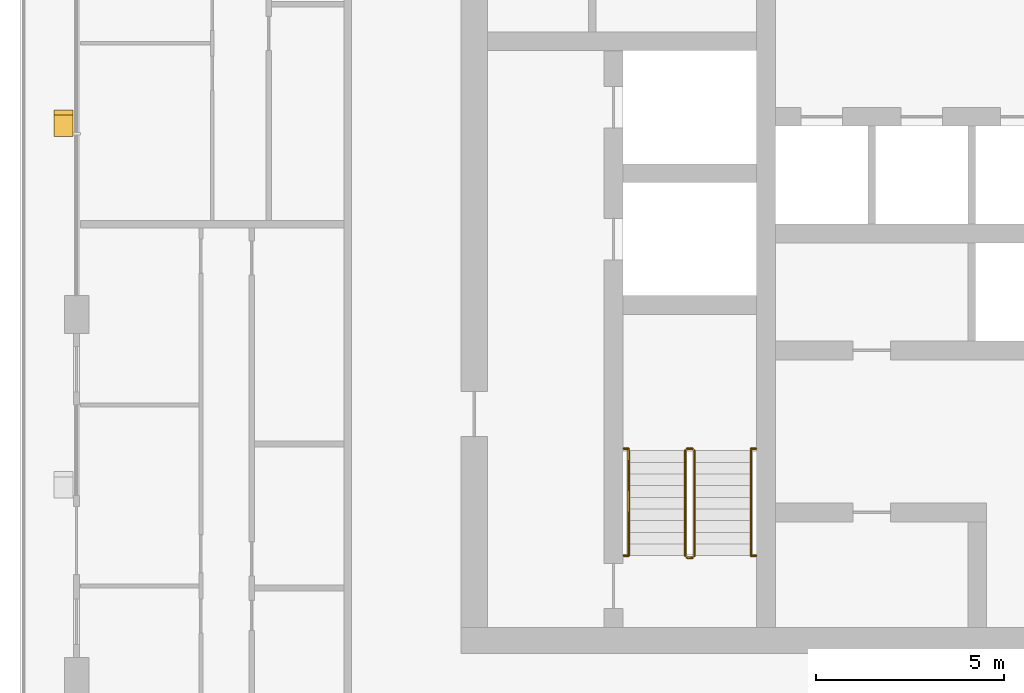
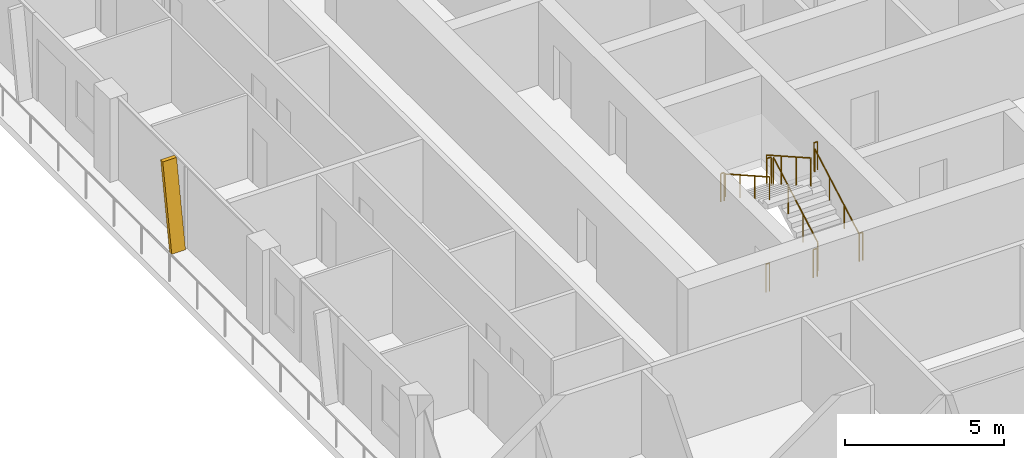
# One storey, part 17 of 21: 10 railings, 1 shading device.
"""IFC4 building model written with IfcOpenShell, lengths in metres."""

import ifcopenshell
import ifcopenshell.guid

model = None  # the IFC model being written
_history = None  # IfcOwnerHistory: only IFC2X3 demands one
_inside = {}  # id of a spatial element -> (the spatial element, [elements in it])
_under = {}  # id of a project, library or spatial element -> (it, [spatial elements below it])
_declared = {}  # id of a project -> (the project, [libraries it declares])
_typed = {}  # id of a type object -> (the type object, [elements of that type])
_made_of = {}  # id of a material, layer set ... -> (it, [elements and type objects made of it])


def new_model(schema):
    """Start an empty IFC model of exactly this schema.

    Asked for "IFC4X3", IfcOpenShell would pick the latest addendum, in which some entities
    have other attributes; the version numbers below select the first issue.
    IFC2X3 requires an IfcOwnerHistory on every rooted entity: one is made here for all.
    """
    global model, _history
    if schema == "IFC4X3":
        model = ifcopenshell.file(schema_version=(4, 3, 0, 0))
    else:
        model = ifcopenshell.file(schema=schema)
    _inside.clear()
    _under.clear()
    _declared.clear()
    _typed.clear()
    _made_of.clear()
    _history = None
    if model.schema == "IFC2X3":
        org = make("IfcOrganization", Name="unknown")
        user = make(
            "IfcPersonAndOrganization",
            ThePerson=make("IfcPerson", FamilyName="unknown"),
            TheOrganization=org,
        )
        app = make(
            "IfcApplication",
            ApplicationDeveloper=org,
            Version="unknown",
            ApplicationFullName="unknown",
            ApplicationIdentifier="unknown",
        )
        _history = make(
            "IfcOwnerHistory",
            OwningUser=user,
            OwningApplication=app,
            ChangeAction="ADDED",
            CreationDate=0,
        )
    return model


def make(cls, **values):
    """One entity of the class cls with the attributes given. An attribute that is None is left unset."""
    return model.create_entity(
        cls, **{name: value for name, value in values.items() if value is not None}
    )


def rooted(cls, **values):
    """An entity with a GlobalId (a new one), such as an element, a storey or a relation."""
    return make(cls, GlobalId=ifcopenshell.guid.new(), OwnerHistory=_history, **values)


def si_unit(unit_type, name, prefix=None):
    """IfcSIUnit, for example si_unit("LENGTHUNIT", "METRE", prefix="MILLI")."""
    return make("IfcSIUnit", UnitType=unit_type, Prefix=prefix, Name=name)


def assignment(units):
    """IfcUnitAssignment: the units of a project."""
    return None if units is None else make("IfcUnitAssignment", Units=units)


def point(xyz):
    """IfcCartesianPoint."""
    return None if xyz is None else make("IfcCartesianPoint", Coordinates=xyz)


def direction(xyz):
    """IfcDirection."""
    return None if xyz is None else make("IfcDirection", DirectionRatios=xyz)


def frame(location, z_axis=None, x_axis=None):
    """IfcAxis2Placement3D, a coordinate frame: its origin and axes. An axis left out is left unset."""
    return make(
        "IfcAxis2Placement3D",
        Location=point(location),
        Axis=direction(z_axis),
        RefDirection=direction(x_axis),
    )


def frame_2d(location, x_axis=None):
    """IfcAxis2Placement2D, a coordinate frame in the plane: its origin and x axis."""
    return make(
        "IfcAxis2Placement2D", Location=point(location), RefDirection=direction(x_axis)
    )


def origin():
    """The frame at (0, 0, 0) with its axes left unset."""
    return frame((0.0, 0.0, 0.0))


def origin_2d():
    """The frame at (0, 0) in the plane with its x axis left unset."""
    return frame_2d((0.0, 0.0))


def place(relative_to, where):
    """IfcLocalPlacement: puts the frame where relative to a parent placement (None: the world)."""
    return make(
        "IfcLocalPlacement", PlacementRelTo=relative_to, RelativePlacement=where
    )


def context(
    kind, dimensions, precision=None, world=None, true_north=None, identifier=None
):
    """IfcGeometricRepresentationContext, for example the 3D "Model" context."""
    return make(
        "IfcGeometricRepresentationContext",
        ContextIdentifier=identifier,
        ContextType=kind,
        CoordinateSpaceDimension=dimensions,
        Precision=precision,
        WorldCoordinateSystem=world,
        TrueNorth=true_north,
    )


def subcontext(parent, identifier, kind, view, scale=None):
    """IfcGeometricRepresentationSubContext, for example "Body" below "Model"."""
    return make(
        "IfcGeometricRepresentationSubContext",
        ContextIdentifier=identifier,
        ContextType=kind,
        ParentContext=parent,
        TargetScale=scale,
        TargetView=view,
    )


def project(units=None, contexts=None):
    """IfcProject with its units and contexts."""
    return rooted(
        "IfcProject",
        Name="project",
        RepresentationContexts=contexts,
        UnitsInContext=assignment(units),
    )


def spatial(cls, under=None, at=None, **own):
    """A site, building, storey or space (cls), placed at a placement, below another one or the project."""
    s = rooted(cls, ObjectPlacement=at, **own)
    if under is not None:
        _under.setdefault(under.id(), (under, []))[1].append(s)
    return s


def polyline(points):
    """IfcPolyline through the points."""
    return make("IfcPolyline", Points=[point(p) for p in points])


def profile(cls, at=None, kind="AREA", **sizes):
    """A parametric profile (cls). Its sizes go by their IFC names, for example OverallWidth=200.0."""
    return make(cls, ProfileType=kind, Position=at, **sizes)


def circle(**sizes):
    """IfcCircleProfileDef."""
    return profile("IfcCircleProfileDef", **sizes)


def outline(outer, holes=None, kind="AREA"):
    """IfcArbitraryClosedProfileDef: a profile drawn as a closed curve; with holes, ...WithVoids."""
    if holes is None:
        return make("IfcArbitraryClosedProfileDef", ProfileType=kind, OuterCurve=outer)
    return make(
        "IfcArbitraryProfileDefWithVoids",
        ProfileType=kind,
        OuterCurve=outer,
        InnerCurves=holes,
    )


def extrude(swept, where, along, depth):
    """IfcExtrudedAreaSolid: the profile swept, set in the frame where, extruded along a direction by depth."""
    return make(
        "IfcExtrudedAreaSolid",
        SweptArea=swept,
        Position=where,
        ExtrudedDirection=direction(along),
        Depth=depth,
    )


def shape(context_of_items, identifier, shape_type, items):
    """IfcShapeRepresentation: the items that make up one representation, for example the "Body"."""
    return make(
        "IfcShapeRepresentation",
        ContextOfItems=context_of_items,
        RepresentationIdentifier=identifier,
        RepresentationType=shape_type,
        Items=items,
    )


def material(Name=None, Category=None):
    """IfcMaterial."""
    return make("IfcMaterial", Name=Name, Category=Category)


def made_of(thing, what):
    """Note that an element or type object is made of a material, layer set ...; save() writes the relation."""
    if what is not None:
        _made_of.setdefault(what.id(), (what, []))[1].append(thing)
    return thing


def type_object(cls, material=None, **own):
    """A type object (cls), such as IfcWallType, which elements share."""
    return made_of(rooted(cls, **own), material)


def element(
    cls,
    number,
    at=None,
    inside=None,
    cuts=None,
    type_object=None,
    material=None,
    context=None,
    identifier="Body",
    shape_type=None,
    held_by="IfcProductDefinitionShape",
    body=None,
    shapes=None,
    **own,
):
    """One element of the class cls, such as IfcWall. Its Tag is "e" and its number.

    at: its placement. inside: the storey or other place that contains it. cuts: it is an
    opening in that element (IfcRelVoidsElement). A single representation is given by context,
    identifier, shape_type and body (its items); several are given by shapes. held_by: the class
    of the entity that holds the representations. save() writes the other relations.
    """
    e = rooted(cls, Tag="e%d" % number, ObjectPlacement=at, **own)
    if body is not None:
        shapes = [shape(context, identifier, shape_type, body)]
    if shapes is not None:
        e.Representation = make(held_by, Representations=shapes)
    if inside is not None:
        _inside.setdefault(inside.id(), (inside, []))[1].append(e)
    if cuts is not None:
        rooted(
            "IfcRelVoidsElement", RelatingBuildingElement=cuts, RelatedOpeningElement=e
        )
    if type_object is not None:
        _typed.setdefault(type_object.id(), (type_object, []))[1].append(e)
    return made_of(e, material)


def aggregate(whole, parts):
    """IfcRelAggregates: a whole, such as a stair, and the parts it consists of."""
    return rooted("IfcRelAggregates", RelatingObject=whole, RelatedObjects=parts)


def save(model, path):
    """Write the relations noted so far, then the file.

    IfcRelAggregates (storeys below a building ...), IfcRelContainedInSpatialStructure (elements
    in a storey), IfcRelDefinesByType, IfcRelAssociatesMaterial and IfcRelDeclares: one each for
    every whole, place, type object, material and project.
    """
    for whole, parts in _under.values():
        aggregate(whole, parts)
    for where, things in _inside.values():
        rooted(
            "IfcRelContainedInSpatialStructure",
            RelatedElements=things,
            RelatingStructure=where,
        )
    for kind, things in _typed.values():
        rooted("IfcRelDefinesByType", RelatedObjects=things, RelatingType=kind)
    for what, things in _made_of.values():
        rooted("IfcRelAssociatesMaterial", RelatedObjects=things, RelatingMaterial=what)
    for by, libraries in _declared.values():
        rooted("IfcRelDeclares", RelatingContext=by, RelatedDefinitions=libraries)
    model.write(path)


model = new_model("IFC4")

# Units and contexts
model_context = context("Model", 3, precision=1e-05, world=origin(), true_north=direction((0.0, 1.0)))
body_context = subcontext(model_context, "Body", "Model", "MODEL_VIEW")
ifc_project = project(units=[si_unit("LENGTHUNIT", "METRE"), si_unit("AREAUNIT", "SQUARE_METRE"), si_unit("VOLUMEUNIT", "CUBIC_METRE"), si_unit("PLANEANGLEUNIT", "RADIAN"), si_unit("MASSUNIT", "GRAM", prefix="KILO")], contexts=[model_context])

# Site, building, storey
site_placement = place(None, origin())
site = spatial("IfcSite", under=ifc_project, at=site_placement, CompositionType="ELEMENT")
building_placement = place(site_placement, origin())
building = spatial("IfcBuilding", under=site, at=building_placement, Name="Madar Terraces", CompositionType="ELEMENT")
storey_placement = place(building_placement, frame((0.0, 0.0, 196.39990234375)))
storey = spatial("IfcBuildingStorey", under=building, at=storey_placement, Name="L51", CompositionType="ELEMENT", Elevation=196.39990234375)

# Shading device
ifc_material_1 = material(Name="Aluminium, black anodised", Category="aluminium")
shading_device_type = type_object("IfcShadingDeviceType", Name="Facade fin blade 140 x 500", PredefinedType="USERDEFINED", material=ifc_material_1)
shading_device_placement = place(storey_placement, frame((4.449951171875, 28.8701171875, 0.0), z_axis=(0.0, 0.0, 1.0), x_axis=(0.0, -1.0, 0.0)))
element("IfcShadingDevice", 1, at=shading_device_placement, inside=storey, type_object=shading_device_type, Name="FIN L51 W2", ObjectType="FIN", PredefinedType="USERDEFINED", context=body_context, shape_type="SweptSolid", body=[
    extrude(outline(polyline([(0.0, 0.0), (0.14013671875, 0.0), (-0.42431640625, 3.2001953125), (-0.564208984375, 3.2001953125), (0.0, 0.0)])), frame((0.0, 0.25, 0.0), z_axis=(0.0, -1.0, 0.0), x_axis=(1.0, 0.0, 0.0)), (0.0, 0.0, 1.0), 0.5),
])

# Railings
ifc_material_2 = material(Name="Stainless steel railing", Category="steel")
railing_type_1 = type_object("IfcRailingType", Name="Stair guard 1100", PredefinedType="GUARDRAIL", material=ifc_material_2)
railing_1_placement = place(storey_placement, frame((21.199951171875, 17.60009765625, 0.175048828125)))
element("IfcRailing", 2, at=railing_1_placement, inside=storey, type_object=railing_type_1, Name="L51 ST1 stair guard 1", PredefinedType="GUARDRAIL", context=body_context, shape_type="SweptSolid", body=[
    extrude(circle(Radius=0.02392578125, at=origin_2d()), frame((0.0, 0.0, 1.076171875), z_axis=(0.0, 0.870815363784, 0.491610213684), x_axis=(-1.0, 0.0, 0.0)), (0.0, 0.0, 1.0), 3.20361328125),
    extrude(circle(Radius=0.02099609375, at=origin_2d()), origin(), (0.0, 0.0, 1.0), 1.052001953125),
    extrude(circle(Radius=0.02099609375, at=origin_2d()), frame((0.0, 0.929931640625, 0.52490234375)), (0.0, 0.0, 1.0), 1.052001953125),
    extrude(circle(Radius=0.02099609375, at=origin_2d()), frame((0.0, 1.85986328125, 1.050048828125)), (0.0, 0.0, 1.0), 1.052001953125),
    extrude(circle(Radius=0.02099609375, at=origin_2d()), frame((0.0, 2.789794921875, 1.574951171875)), (0.0, 0.0, 1.0), 1.052001953125),
])
railing_2_placement = place(storey_placement, frame((21.14990234375, 20.43994140625, 1.75)))
element("IfcRailing", 3, at=railing_2_placement, inside=storey, type_object=railing_type_1, Name="L51 ST1 stair guard 2", PredefinedType="GUARDRAIL", context=body_context, shape_type="SweptSolid", body=[
    extrude(circle(Radius=0.02392578125, at=origin_2d()), frame((0.0, 0.0, 1.076171875), z_axis=(-1.0, 0.0, 0.0), x_axis=(0.0, -1.0, 0.0)), (0.0, 0.0, 1.0), 0.14990234375),
    extrude(circle(Radius=0.02099609375, at=origin_2d()), origin(), (0.0, 0.0, 1.0), 1.052001953125),
    extrude(circle(Radius=0.02099609375, at=origin_2d()), frame((-0.14990234375, 0.0, 0.0)), (0.0, 0.0, 1.0), 1.052001953125),
])
railing_3_placement = place(storey_placement, frame((20.949951171875, 20.389892578125, 1.925048828125)))
element("IfcRailing", 4, at=railing_3_placement, inside=storey, type_object=railing_type_1, Name="L51 ST1 stair guard 3", PredefinedType="GUARDRAIL", context=body_context, shape_type="SweptSolid", body=[
    extrude(circle(Radius=0.02392578125, at=origin_2d()), frame((0.0, 0.0, 1.076171875), z_axis=(0.0, -0.870815363784, 0.491610213684), x_axis=(1.0, 0.0, 0.0)), (0.0, 0.0, 1.0), 3.20361328125),
    extrude(circle(Radius=0.02099609375, at=origin_2d()), origin(), (0.0, 0.0, 1.0), 1.052001953125),
    extrude(circle(Radius=0.02099609375, at=origin_2d()), frame((0.0, -0.929931640625, 0.52490234375)), (0.0, 0.0, 1.0), 1.052001953125),
    extrude(circle(Radius=0.02099609375, at=origin_2d()), frame((0.0, -1.85986328125, 1.050048828125)), (0.0, 0.0, 1.0), 1.052001953125),
    extrude(circle(Radius=0.02099609375, at=origin_2d()), frame((0.0, -2.789794921875, 1.574951171875)), (0.0, 0.0, 1.0), 1.052001953125),
])
railing_4_placement = place(storey_placement, frame((21.14990234375, 17.550048828125, 0.0)))
element("IfcRailing", 5, at=railing_4_placement, inside=storey, type_object=railing_type_1, Name="L51 ST1 stair guard 4", PredefinedType="GUARDRAIL", context=body_context, shape_type="SweptSolid", body=[
    extrude(circle(Radius=0.02392578125, at=origin_2d()), frame((0.0, 0.0, 1.076171875), z_axis=(-1.0, 0.0, 0.0), x_axis=(0.0, -1.0, 0.0)), (0.0, 0.0, 1.0), 0.14990234375),
    extrude(circle(Radius=0.02099609375, at=origin_2d()), origin(), (0.0, 0.0, 1.0), 1.052001953125),
    extrude(circle(Radius=0.02099609375, at=origin_2d()), frame((-0.14990234375, 0.0, 0.0)), (0.0, 0.0, 1.0), 1.052001953125),
])
railing_5_placement = place(storey_placement, frame((19.320068359375, 20.43994140625, 1.75)))
element("IfcRailing", 6, at=railing_5_placement, inside=storey, type_object=railing_type_1, Name="L51 stair guard seat 1", PredefinedType="GUARDRAIL", context=body_context, shape_type="SweptSolid", body=[
    extrude(circle(Radius=0.02392578125, at=origin_2d()), frame((0.0, 0.0, 1.076171875), z_axis=(1.0, 0.0, 0.0), x_axis=(0.0, 1.0, 0.0)), (0.0, 0.0, 1.0), 0.1298828125),
    extrude(circle(Radius=0.02099609375, at=origin_2d()), origin(), (0.0, 0.0, 1.0), 1.052001953125),
    extrude(circle(Radius=0.02099609375, at=origin_2d()), frame((0.1298828125, 0.0, 0.0)), (0.0, 0.0, 1.0), 1.052001953125),
])
railing_6_placement = place(storey_placement, frame((22.699951171875, 20.43994140625, 1.75)))
element("IfcRailing", 7, at=railing_6_placement, inside=storey, type_object=railing_type_1, Name="L51 stair guard seat 2", PredefinedType="GUARDRAIL", context=body_context, shape_type="SweptSolid", body=[
    extrude(circle(Radius=0.02392578125, at=origin_2d()), frame((0.0, 0.0, 1.076171875), z_axis=(1.0, 0.0, 0.0), x_axis=(0.0, 1.0, 0.0)), (0.0, 0.0, 1.0), 0.130126953125),
    extrude(circle(Radius=0.02099609375, at=origin_2d()), origin(), (0.0, 0.0, 1.0), 1.052001953125),
    extrude(circle(Radius=0.02099609375, at=origin_2d()), frame((0.130126953125, 0.0, 0.0)), (0.0, 0.0, 1.0), 1.052001953125),
])
railing_7_placement = place(storey_placement, frame((19.320068359375, 17.60009765625, 0.0)))
element("IfcRailing", 8, at=railing_7_placement, inside=storey, type_object=railing_type_1, Name="L51 stair guard floor 1", PredefinedType="GUARDRAIL", context=body_context, shape_type="SweptSolid", body=[
    extrude(circle(Radius=0.02392578125, at=origin_2d()), frame((0.0, 0.0, 1.076171875), z_axis=(1.0, 0.0, 0.0), x_axis=(0.0, 1.0, 0.0)), (0.0, 0.0, 1.0), 0.1298828125),
    extrude(circle(Radius=0.02099609375, at=origin_2d()), origin(), (0.0, 0.0, 1.0), 1.052001953125),
    extrude(circle(Radius=0.02099609375, at=origin_2d()), frame((0.1298828125, 0.0, 0.0)), (0.0, 0.0, 1.0), 1.052001953125),
])
railing_8_placement = place(storey_placement, frame((22.699951171875, 17.60009765625, 0.0)))
element("IfcRailing", 9, at=railing_8_placement, inside=storey, type_object=railing_type_1, Name="L51 stair guard floor 2", PredefinedType="GUARDRAIL", context=body_context, shape_type="SweptSolid", body=[
    extrude(circle(Radius=0.02392578125, at=origin_2d()), frame((0.0, 0.0, 1.076171875), z_axis=(1.0, 0.0, 0.0), x_axis=(0.0, 1.0, 0.0)), (0.0, 0.0, 1.0), 0.130126953125),
    extrude(circle(Radius=0.02099609375, at=origin_2d()), origin(), (0.0, 0.0, 1.0), 1.052001953125),
    extrude(circle(Radius=0.02099609375, at=origin_2d()), frame((0.130126953125, 0.0, 0.0)), (0.0, 0.0, 1.0), 1.052001953125),
])
ifc_material_3 = material(Name="Stainless steel railing", Category="steel")
railing_type_2 = type_object("IfcRailingType", Name="Stair handrail 900", PredefinedType="HANDRAIL", material=ifc_material_3)
railing_9_placement = place(storey_placement, frame((22.699951171875, 17.60009765625, 0.175048828125)))
element("IfcRailing", 10, at=railing_9_placement, inside=storey, type_object=railing_type_2, Name="L51 ST1 stair handrail 1", PredefinedType="HANDRAIL", context=body_context, shape_type="SweptSolid", body=[
    extrude(circle(Radius=0.02392578125, at=origin_2d()), frame((0.0, 0.0, 0.8759765625), z_axis=(0.0, 0.870815363784, 0.491610213684), x_axis=(-1.0, 0.0, 0.0)), (0.0, 0.0, 1.0), 3.20361328125),
    extrude(circle(Radius=0.02099609375, at=origin_2d()), origin(), (0.0, 0.0, 1.0), 0.851806640625),
    extrude(circle(Radius=0.02099609375, at=origin_2d()), frame((0.0, 0.929931640625, 0.52490234375)), (0.0, 0.0, 1.0), 0.851806640625),
    extrude(circle(Radius=0.02099609375, at=origin_2d()), frame((0.0, 1.85986328125, 1.050048828125)), (0.0, 0.0, 1.0), 0.851806640625),
    extrude(circle(Radius=0.02099609375, at=origin_2d()), frame((0.0, 2.789794921875, 1.574951171875)), (0.0, 0.0, 1.0), 0.851806640625),
])
railing_10_placement = place(storey_placement, frame((19.449951171875, 20.389892578125, 1.925048828125)))
element("IfcRailing", 11, at=railing_10_placement, inside=storey, type_object=railing_type_2, Name="L51 ST1 stair handrail 2", PredefinedType="HANDRAIL", context=body_context, shape_type="SweptSolid", body=[
    extrude(circle(Radius=0.02392578125, at=origin_2d()), frame((0.0, 0.0, 0.8759765625), z_axis=(0.0, -0.870815363784, 0.491610213684), x_axis=(1.0, 0.0, 0.0)), (0.0, 0.0, 1.0), 3.20361328125),
    extrude(circle(Radius=0.02099609375, at=origin_2d()), origin(), (0.0, 0.0, 1.0), 0.851806640625),
    extrude(circle(Radius=0.02099609375, at=origin_2d()), frame((0.0, -0.929931640625, 0.52490234375)), (0.0, 0.0, 1.0), 0.851806640625),
    extrude(circle(Radius=0.02099609375, at=origin_2d()), frame((0.0, -1.85986328125, 1.050048828125)), (0.0, 0.0, 1.0), 0.851806640625),
    extrude(circle(Radius=0.02099609375, at=origin_2d()), frame((0.0, -2.789794921875, 1.574951171875)), (0.0, 0.0, 1.0), 0.851806640625),
])

save(model, "model.ifc")
